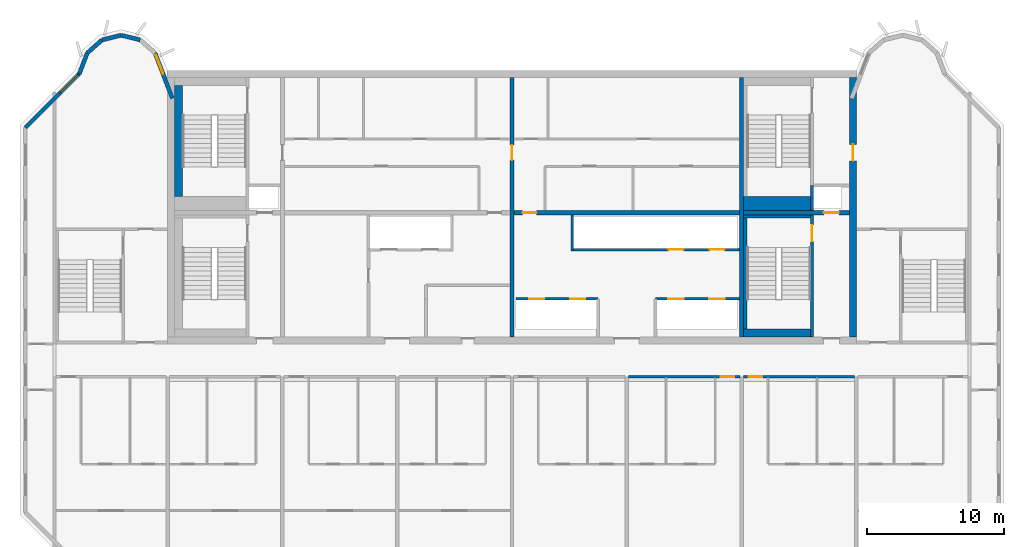
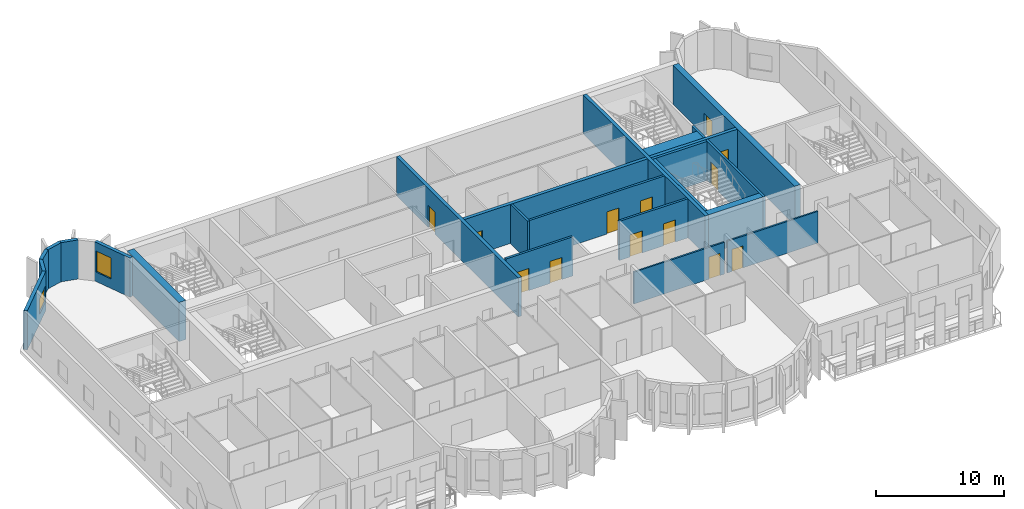
# One storey, part 6 of 12: 24 walls, 13 doors, 2 windows, 15 openings.
"""IFC4 building model written with IfcOpenShell, lengths in metres."""

from ifc_helpers import new_model, si_unit, direction, frame, frame_2d, origin, place, context, subcontext, project, spatial, rectangle, extrude, source, transform, mapped, material, layer, layer_set, type_object, element, fill, save


model = new_model("IFC4")

# Units and contexts
model_context = context("Model", 3, precision=1e-05, world=origin(), true_north=direction((0.0, 1.0)))
body_context = subcontext(model_context, "Body", "Model", "MODEL_VIEW")
ifc_project = project(units=[si_unit("LENGTHUNIT", "METRE"), si_unit("AREAUNIT", "SQUARE_METRE"), si_unit("VOLUMEUNIT", "CUBIC_METRE"), si_unit("PLANEANGLEUNIT", "RADIAN"), si_unit("MASSUNIT", "GRAM", prefix="KILO")], contexts=[model_context])

# Site, building, storey
site_placement = place(None, origin())
site = spatial("IfcSite", under=ifc_project, at=site_placement, CompositionType="ELEMENT")
building_placement = place(site_placement, origin())
building = spatial("IfcBuilding", under=site, at=building_placement, Name="Vanashikhar Sky Hotel", CompositionType="ELEMENT")
storey_placement = place(building_placement, frame((0.0, 0.0, 285.699951171875)))
storey = spatial("IfcBuildingStorey", under=building, at=storey_placement, Name="L68", CompositionType="ELEMENT", Elevation=285.699951171875)

# Wall, opening, door
ifc_material_1 = material(Name="Concrete M50", Category="concrete")
ifc_layer_1 = layer(ifc_material_1, 0.5)
ifc_layer_set_1 = layer_set([ifc_layer_1], Name="RC core shell wall 500 Concrete M50")
wall_type_1 = type_object("IfcWallType", Name="RC core shell wall 500 Concrete M50", PredefinedType="SHEAR", material=ifc_layer_set_1)
shared_shape_1 = source(origin(), body_context, "Body", "SweptSolid", [
    extrude(rectangle(XDim=19.0, YDim=0.5, at=frame_2d((9.5, 0.0))), origin(), (0.0, 0.0, 1.0), 3.719970703125),
])
wall_1_placement = place(storey_placement, frame((75.35009765625, 22.5, 0.0), z_axis=(0.0, 0.0, 1.0), x_axis=(0.0, 1.0, 0.0)))
wall_1 = element("IfcWall", 1, at=wall_1_placement, inside=storey, type_object=wall_type_1, Name="KW-L68-KE", PredefinedType="SHEAR", context=body_context, shape_type="MappedRepresentation", body=[
    mapped(shared_shape_1, transform((0.0, 0.0, 0.0), scale=1.0)),
])
shared_shape_2 = source(origin(), body_context, "Body", "SweptSolid", [
    extrude(rectangle(XDim=1.199951171875, YDim=2.10009765625, at=frame_2d((0.60009765625, 1.050048828125))), frame((0.0, 0.260009765625, 0.0), z_axis=(0.0, -1.0, 0.0), x_axis=(1.0, 0.0, 0.0)), (0.0, 0.0, 1.0), 0.52001953125),
])
opening_1_placement = place(wall_1_placement, frame((12.89990234375, 0.0, 0.0)))
opening_1 = element("IfcOpeningElement", 2, at=opening_1_placement, cuts=wall_1, Name="Opening DC-4-D", PredefinedType="OPENING", context=body_context, shape_type="MappedRepresentation", body=[
    mapped(shared_shape_2, transform((0.0, 0.0, 0.0), scale=1.0)),
])
ifc_material_2 = material(Name="Steel", Category="steel")
door_type_1 = type_object("IfcDoorType", Name="Service door 1200 FD120", OperationType="NOTDEFINED", PredefinedType="DOOR", material=ifc_material_2)
shared_shape_3 = source(origin(), body_context, "Body", "SweptSolid", [
    extrude(rectangle(XDim=1.199951171875, YDim=2.10009765625, at=frame_2d((0.60009765625, 1.050048828125))), frame((0.0, 0.02490234375, 0.0), z_axis=(0.0, -1.0, 0.0), x_axis=(1.0, 0.0, 0.0)), (0.0, 0.0, 1.0), 0.050048828125),
])
door_1_placement = place(opening_1_placement, origin())
door_1 = element("IfcDoor", 3, at=door_1_placement, inside=storey, type_object=door_type_1, Name="Service door 1200 FD120", OperationType="SINGLE_SWING_RIGHT", OverallHeight=2.10009765625, OverallWidth=1.199951171875, PredefinedType="DOOR", context=body_context, shape_type="MappedRepresentation", body=[
    mapped(shared_shape_3, transform((0.0, 0.0, 0.0), scale=1.0)),
])
fill(opening_1, door_1)

ifc_layer_2 = layer(ifc_material_1, 0.300048828125)
ifc_layer_set_2 = layer_set([ifc_layer_2], Name="RC core inner wall 300 Concrete M50")
wall_type_2 = type_object("IfcWallType", Name="RC core inner wall 300 Concrete M50", PredefinedType="SHEAR", material=ifc_layer_set_2)
shared_shape_4 = source(origin(), body_context, "Body", "SweptSolid", [
    extrude(rectangle(XDim=19.0, YDim=0.300048828125, at=frame_2d((9.5, 0.0))), origin(), (0.0, 0.0, 1.0), 3.719970703125),
])
wall_2_placement = place(storey_placement, frame((50.39990234375, 22.5, 0.0), z_axis=(0.0, 0.0, 1.0), x_axis=(0.0, 1.0, 0.0)))
wall_2 = element("IfcWall", 4, at=wall_2_placement, inside=storey, type_object=wall_type_2, Name="KW-L68-KX2", PredefinedType="SHEAR", context=body_context, shape_type="MappedRepresentation", body=[
    mapped(shared_shape_4, transform((0.0, 0.0, 0.0), scale=1.0)),
])
shared_shape_5 = source(origin(), body_context, "Body", "SweptSolid", [
    extrude(rectangle(XDim=1.10009765625, YDim=2.10009765625, at=frame_2d((0.550048828125, 1.050048828125))), frame((0.0, 0.16015625, 0.0), z_axis=(0.0, -1.0, 0.0), x_axis=(1.0, 0.0, 0.0)), (0.0, 0.0, 1.0), 0.320068359375),
])
opening_2_placement = place(wall_2_placement, frame((12.949951171875, 0.0, 0.0)))
opening_2 = element("IfcOpeningElement", 5, at=opening_2_placement, cuts=wall_2, Name="Opening DC-4-C", PredefinedType="OPENING", context=body_context, shape_type="MappedRepresentation", body=[
    mapped(shared_shape_5, transform((0.0, 0.0, 0.0), scale=1.0)),
])
door_type_2 = type_object("IfcDoorType", Name="Service door 1100 FD60", OperationType="NOTDEFINED", PredefinedType="DOOR", material=ifc_material_2)
shared_shape_6 = source(origin(), body_context, "Body", "SweptSolid", [
    extrude(rectangle(XDim=1.10009765625, YDim=2.10009765625, at=frame_2d((0.550048828125, 1.050048828125))), frame((0.0, 0.02490234375, 0.0), z_axis=(0.0, -1.0, 0.0), x_axis=(1.0, 0.0, 0.0)), (0.0, 0.0, 1.0), 0.050048828125),
])
door_2_placement = place(opening_2_placement, origin())
door_2 = element("IfcDoor", 6, at=door_2_placement, inside=storey, type_object=door_type_2, Name="Service door 1100 FD60", OperationType="SINGLE_SWING_RIGHT", OverallHeight=2.10009765625, OverallWidth=1.10009765625, PredefinedType="DOOR", context=body_context, shape_type="MappedRepresentation", body=[
    mapped(shared_shape_6, transform((0.0, 0.0, 0.0), scale=1.0)),
])
fill(opening_2, door_2)

# Wall
wall_3_placement = place(storey_placement, frame((67.199951171875, 22.5, 0.0), z_axis=(0.0, 0.0, 1.0), x_axis=(0.0, 1.0, 0.0)))
element("IfcWall", 7, at=wall_3_placement, inside=storey, type_object=wall_type_2, Name="KW-L68-KX3", PredefinedType="SHEAR", context=body_context, shape_type="MappedRepresentation", body=[
    mapped(shared_shape_4, transform((0.0, 0.0, 0.0), scale=1.0)),
])

# Wall, opening, door
shared_shape_7 = source(origin(), body_context, "Body", "SweptSolid", [
    extrude(rectangle(XDim=7.75, YDim=0.300048828125, at=frame_2d((3.875, 0.0))), origin(), (0.0, 0.0, 1.0), 3.719970703125),
])
wall_4_placement = place(storey_placement, frame((67.35009765625, 31.60009765625, 0.0), z_axis=(0.0, 0.0, 1.0), x_axis=(1.0, 0.0, 0.0)))
wall_4 = element("IfcWall", 8, at=wall_4_placement, inside=storey, type_object=wall_type_2, Name="KW-L68-KY4", PredefinedType="SHEAR", context=body_context, shape_type="MappedRepresentation", body=[
    mapped(shared_shape_7, transform((0.0, 0.0, 0.0), scale=1.0)),
])
opening_3_placement = place(wall_4_placement, frame((5.875, 0.0, 0.0)))
opening_3 = element("IfcOpeningElement", 9, at=opening_3_placement, cuts=wall_4, Name="Opening LD", PredefinedType="OPENING", context=body_context, shape_type="MappedRepresentation", body=[
    mapped(shared_shape_5, transform((0.0, 0.0, 0.0), scale=1.0)),
])
ifc_material_3 = material(Name="Stainless steel", Category="steel")
door_type_3 = type_object("IfcDoorType", Name="Lift landing door 1100", OperationType="NOTDEFINED", PredefinedType="DOOR", material=ifc_material_3)
door_3_placement = place(opening_3_placement, origin())
door_3 = element("IfcDoor", 10, at=door_3_placement, inside=storey, type_object=door_type_3, Name="Lift landing door 1100", OperationType="SLIDING_TO_RIGHT", OverallHeight=2.10009765625, OverallWidth=1.10009765625, PredefinedType="DOOR", context=body_context, shape_type="MappedRepresentation", body=[
    mapped(shared_shape_6, transform((0.0, 0.0, 0.0), scale=1.0)),
])
fill(opening_3, door_3)

shared_shape_8 = source(origin(), body_context, "Body", "SweptSolid", [
    extrude(rectangle(XDim=16.5, YDim=0.300048828125, at=frame_2d((8.25, 0.0))), origin(), (0.0, 0.0, 1.0), 3.719970703125),
])
wall_5_placement = place(storey_placement, frame((50.550048828125, 31.60009765625, 0.0), z_axis=(0.0, 0.0, 1.0), x_axis=(1.0, 0.0, 0.0)))
wall_5 = element("IfcWall", 11, at=wall_5_placement, inside=storey, type_object=wall_type_2, Name="KW-L68-KY3", PredefinedType="SHEAR", context=body_context, shape_type="MappedRepresentation", body=[
    mapped(shared_shape_8, transform((0.0, 0.0, 0.0), scale=1.0)),
])
shared_shape_9 = source(origin(), body_context, "Body", "SweptSolid", [
    extrude(rectangle(XDim=1.0, YDim=2.10009765625, at=frame_2d((0.5, 1.050048828125))), frame((0.0, 0.16015625, 0.0), z_axis=(0.0, -1.0, 0.0), x_axis=(1.0, 0.0, 0.0)), (0.0, 0.0, 1.0), 0.320068359375),
])
opening_4_placement = place(wall_5_placement, frame((0.625, 0.0, 0.0)))
opening_4 = element("IfcOpeningElement", 12, at=opening_4_placement, cuts=wall_5, Name="Opening DC-4", PredefinedType="OPENING", context=body_context, shape_type="MappedRepresentation", body=[
    mapped(shared_shape_9, transform((0.0, 0.0, 0.0), scale=1.0)),
])
door_type_4 = type_object("IfcDoorType", Name="Service door 1000 FD60", OperationType="NOTDEFINED", PredefinedType="DOOR", material=ifc_material_2)
shared_shape_10 = source(origin(), body_context, "Body", "SweptSolid", [
    extrude(rectangle(XDim=1.0, YDim=2.10009765625, at=frame_2d((0.5, 1.050048828125))), frame((0.0, 0.02490234375, 0.0), z_axis=(0.0, -1.0, 0.0), x_axis=(1.0, 0.0, 0.0)), (0.0, 0.0, 1.0), 0.050048828125),
])
door_4_placement = place(opening_4_placement, origin())
door_4 = element("IfcDoor", 13, at=door_4_placement, inside=storey, type_object=door_type_4, Name="Service door 1000 FD60", OperationType="SINGLE_SWING_RIGHT", OverallHeight=2.10009765625, OverallWidth=1.0, PredefinedType="DOOR", context=body_context, shape_type="MappedRepresentation", body=[
    mapped(shared_shape_10, transform((0.0, 0.0, 0.0), scale=1.0)),
])
fill(opening_4, door_4)

# Wall, opening, window
ifc_layer_3 = layer(ifc_material_1, 0.300048828125)
ifc_layer_set_3 = layer_set([ifc_layer_3], Name="Lobe wall 300")
wall_type_3 = type_object("IfcWallType", Name="Lobe wall 300", PredefinedType="SOLIDWALL", material=ifc_layer_set_3)
shared_shape_11 = source(origin(), body_context, "Body", "SweptSolid", [
    extrude(rectangle(XDim=5.576416015625, YDim=0.300048828125, at=frame_2d((2.7880859375, 0.0))), origin(), (0.0, 0.0, 1.0), 3.719970703125),
])
wall_6_placement = place(storey_placement, frame((18.7431640625, 41.77734375, 0.0), z_axis=(0.0, 0.0, 1.0), x_axis=(-0.707106781187, -0.707106781187, 0.0)))
wall_6 = element("IfcWall", 14, at=wall_6_placement, inside=storey, type_object=wall_type_3, Name="Corner wall", PredefinedType="SOLIDWALL", context=body_context, shape_type="MappedRepresentation", body=[
    mapped(shared_shape_11, transform((0.0, 0.0, 0.0), scale=1.0)),
])
shared_shape_12 = source(origin(), body_context, "Body", "SweptSolid", [
    extrude(rectangle(XDim=1.800048828125, YDim=1.5, at=frame_2d((0.89990234375, 0.75))), frame((0.0, 0.16015625, 0.0), z_axis=(0.0, -1.0, 0.0), x_axis=(1.0, 0.0, 0.0)), (0.0, 0.0, 1.0), 0.320068359375),
])
opening_5_placement = place(wall_6_placement, frame((0.135498046875, 0.0, 0.89990234375)))
opening_5 = element("IfcOpeningElement", 15, at=opening_5_placement, cuts=wall_6, Name="Opening WN-4", PredefinedType="OPENING", context=body_context, shape_type="MappedRepresentation", body=[
    mapped(shared_shape_12, transform((0.0, 0.0, 0.0), scale=1.0)),
])
ifc_material_4 = material(Name="Glass", Category="glass")
window_type_1 = type_object("IfcWindowType", Name="Corner window 1800 x 1500", PartitioningType="SINGLE_PANEL", PredefinedType="WINDOW", material=ifc_material_4)
shared_shape_13 = source(origin(), body_context, "Body", "SweptSolid", [
    extrude(rectangle(XDim=1.800048828125, YDim=1.5, at=frame_2d((0.89990234375, 0.75))), frame((0.0, 0.030029296875, 0.0), z_axis=(0.0, -1.0, 0.0), x_axis=(1.0, 0.0, 0.0)), (0.0, 0.0, 1.0), 0.06005859375),
])
window_1_placement = place(opening_5_placement, origin())
window_1 = element("IfcWindow", 16, at=window_1_placement, inside=storey, type_object=window_type_1, Name="Window WN-4", OverallHeight=1.5, OverallWidth=1.800048828125, PartitioningType="SINGLE_PANEL", PredefinedType="WINDOW", context=body_context, shape_type="MappedRepresentation", body=[
    mapped(shared_shape_13, transform((0.0, 0.0, 0.0), scale=1.0)),
])
fill(opening_5, window_1)

# Walls
shared_shape_14 = source(origin(), body_context, "Body", "SweptSolid", [
    extrude(rectangle(XDim=1.6220703125, YDim=0.300048828125, at=frame_2d((0.81103515625, 0.0))), origin(), (0.0, 0.0, 1.0), 3.719970703125),
])
wall_7_placement = place(storey_placement, frame((19.323486328125, 43.2919921875, 0.0), z_axis=(0.0, 0.0, 1.0), x_axis=(-0.357778527068, -0.933806471154, 0.0)))
element("IfcWall", 17, at=wall_7_placement, inside=storey, type_object=wall_type_3, Name="Lobe wall", PredefinedType="SOLIDWALL", context=body_context, shape_type="MappedRepresentation", body=[
    mapped(shared_shape_14, transform((0.0, 0.0, 0.0), scale=1.0)),
])
shared_shape_15 = source(origin(), body_context, "Body", "SweptSolid", [
    extrude(rectangle(XDim=1.43994140625, YDim=0.300048828125, at=frame_2d((0.719970703125, 0.0))), origin(), (0.0, 0.0, 1.0), 3.719970703125),
])
wall_8_placement = place(storey_placement, frame((20.40283203125, 44.2451171875, 0.0), z_axis=(0.0, 0.0, 1.0), x_axis=(-0.74957555648, -0.661918790432, 0.0)))
element("IfcWall", 18, at=wall_8_placement, inside=storey, type_object=wall_type_3, Name="Lobe wall", PredefinedType="SOLIDWALL", context=body_context, shape_type="MappedRepresentation", body=[
    mapped(shared_shape_15, transform((0.0, 0.0, 0.0), scale=1.0)),
])
shared_shape_16 = source(origin(), body_context, "Body", "SweptSolid", [
    extrude(rectangle(XDim=1.438720703125, YDim=0.300048828125, at=frame_2d((0.71923828125, 0.0))), origin(), (0.0, 0.0, 1.0), 3.719970703125),
])
wall_9_placement = place(storey_placement, frame((21.800048828125, 44.588134765625, 0.0), z_axis=(0.0, 0.0, 1.0), x_axis=(-0.971161932466, -0.238420848351, 0.0)))
element("IfcWall", 19, at=wall_9_placement, inside=storey, type_object=wall_type_3, Name="Lobe wall", PredefinedType="SOLIDWALL", context=body_context, shape_type="MappedRepresentation", body=[
    mapped(shared_shape_16, transform((0.0, 0.0, 0.0), scale=1.0)),
])

# Wall, opening, window
shared_shape_17 = source(origin(), body_context, "Body", "SweptSolid", [
    extrude(rectangle(XDim=3.55908203125, YDim=0.300048828125, at=frame_2d((1.779541015625, 0.0))), origin(), (0.0, 0.0, 1.0), 3.719970703125),
])
wall_10_placement = place(storey_placement, frame((25.550048828125, 39.968505859375, 0.0), z_axis=(0.0, 0.0, 1.0), x_axis=(-0.35779745313, 0.933799219604, 0.0)))
wall_10 = element("IfcWall", 20, at=wall_10_placement, inside=storey, type_object=wall_type_3, Name="Lobe wall", PredefinedType="SOLIDWALL", context=body_context, shape_type="MappedRepresentation", body=[
    mapped(shared_shape_17, transform((0.0, 0.0, 0.0), scale=1.0)),
])
shared_shape_18 = source(origin(), body_context, "Body", "SweptSolid", [
    extrude(rectangle(XDim=1.5, YDim=2.0, at=frame_2d((0.75, 1.0))), frame((0.0, 0.16015625, 0.0), z_axis=(0.0, -1.0, 0.0), x_axis=(1.0, 0.0, 0.0)), (0.0, 0.0, 1.0), 0.320068359375),
])
opening_6_placement = place(wall_10_placement, frame((1.9033203125, 0.0, 0.89990234375)))
opening_6 = element("IfcOpeningElement", 21, at=opening_6_placement, cuts=wall_10, Name="Opening WN-2", PredefinedType="OPENING", context=body_context, shape_type="MappedRepresentation", body=[
    mapped(shared_shape_18, transform((0.0, 0.0, 0.0), scale=1.0)),
])
window_type_2 = type_object("IfcWindowType", Name="Lobe window 1500 x 2000", PartitioningType="SINGLE_PANEL", PredefinedType="WINDOW", material=ifc_material_4)
shared_shape_19 = source(origin(), body_context, "Body", "SweptSolid", [
    extrude(rectangle(XDim=1.5, YDim=2.0, at=frame_2d((0.75, 1.0))), frame((0.0, 0.030029296875, 0.0), z_axis=(0.0, -1.0, 0.0), x_axis=(1.0, 0.0, 0.0)), (0.0, 0.0, 1.0), 0.06005859375),
])
window_2_placement = place(opening_6_placement, origin())
window_2 = element("IfcWindow", 22, at=window_2_placement, inside=storey, type_object=window_type_2, Name="Window WN-2", OverallHeight=2.0, OverallWidth=1.5, PartitioningType="SINGLE_PANEL", PredefinedType="WINDOW", context=body_context, shape_type="MappedRepresentation", body=[
    mapped(shared_shape_19, transform((0.0, 0.0, 0.0), scale=1.0)),
])
fill(opening_6, window_2)

# Wall
shared_shape_20 = source(origin(), body_context, "Body", "SweptSolid", [
    extrude(rectangle(XDim=1.4384765625, YDim=0.300048828125, at=frame_2d((0.71923828125, 0.0))), origin(), (0.0, 0.0, 1.0), 3.719970703125),
])
wall_11_placement = place(storey_placement, frame((23.197021484375, 44.2451171875, 0.0), z_axis=(0.0, 0.0, 1.0), x_axis=(-0.971152283879, 0.238460146601, 0.0)))
element("IfcWall", 23, at=wall_11_placement, inside=storey, type_object=wall_type_3, Name="Lobe wall", PredefinedType="SOLIDWALL", context=body_context, shape_type="MappedRepresentation", body=[
    mapped(shared_shape_20, transform((0.0, 0.0, 0.0), scale=1.0)),
])

# Wall, openings, doors
ifc_material_5 = material(Name="Concrete M40", Category="concrete")
ifc_layer_4 = layer(ifc_material_5, 0.199951171875)
ifc_layer_set_4 = layer_set([ifc_layer_4], Name="Shaft wall 200")
wall_type_4 = type_object("IfcWallType", Name="Shaft wall 200", PredefinedType="SOLIDWALL", material=ifc_layer_set_4)
shared_shape_21 = source(origin(), body_context, "Body", "SweptSolid", [
    extrude(rectangle(XDim=6.0, YDim=0.199951171875, at=frame_2d((3.0, 0.0))), origin(), (0.0, 0.0, 1.0), 3.719970703125),
])
wall_12_placement = place(storey_placement, frame((56.699951171875, 25.300048828125, 0.0), z_axis=(0.0, 0.0, 1.0), x_axis=(-1.0, 0.0, 0.0)))
wall_12 = element("IfcWall", 24, at=wall_12_placement, inside=storey, type_object=wall_type_4, Name="Shaft wall 200", PredefinedType="SOLIDWALL", context=body_context, shape_type="MappedRepresentation", body=[
    mapped(shared_shape_21, transform((0.0, 0.0, 0.0), scale=1.0)),
])
shared_shape_22 = source(origin(), body_context, "Body", "SweptSolid", [
    extrude(rectangle(XDim=1.10009765625, YDim=2.10009765625, at=frame_2d((0.550048828125, 1.050048828125))), frame((0.0, 0.10986328125, 0.0), z_axis=(0.0, -1.0, 0.0), x_axis=(1.0, 0.0, 0.0)), (0.0, 0.0, 1.0), 0.219970703125),
])
opening_7_placement = place(wall_12_placement, frame((0.949951171875, 0.0, 0.0)))
opening_7 = element("IfcOpeningElement", 25, at=opening_7_placement, cuts=wall_12, Name="Opening LD", PredefinedType="OPENING", context=body_context, shape_type="MappedRepresentation", body=[
    mapped(shared_shape_22, transform((0.0, 0.0, 0.0), scale=1.0)),
])
opening_8_placement = place(wall_12_placement, frame((3.949951171875, 0.0, 0.0)))
opening_8 = element("IfcOpeningElement", 26, at=opening_8_placement, cuts=wall_12, Name="Opening LD", PredefinedType="OPENING", context=body_context, shape_type="MappedRepresentation", body=[
    mapped(shared_shape_22, transform((0.0, 0.0, 0.0), scale=1.0)),
])
door_5_placement = place(opening_7_placement, origin())
door_5 = element("IfcDoor", 27, at=door_5_placement, inside=storey, type_object=door_type_3, Name="Lift landing door 1100", OperationType="SLIDING_TO_RIGHT", OverallHeight=2.10009765625, OverallWidth=1.10009765625, PredefinedType="DOOR", context=body_context, shape_type="MappedRepresentation", body=[
    mapped(shared_shape_6, transform((0.0, 0.0, 0.0), scale=1.0)),
])
fill(opening_7, door_5)
door_6_placement = place(opening_8_placement, origin())
door_6 = element("IfcDoor", 28, at=door_6_placement, inside=storey, type_object=door_type_3, Name="Lift landing door 1100", OperationType="SLIDING_TO_LEFT", OverallHeight=2.10009765625, OverallWidth=1.10009765625, PredefinedType="DOOR", context=body_context, shape_type="MappedRepresentation", body=[
    mapped(shared_shape_6, transform((0.0, 0.0, 0.0), scale=1.0)),
])
fill(opening_8, door_6)

# Wall
shared_shape_23 = source(origin(), body_context, "Body", "SweptSolid", [
    extrude(rectangle(XDim=2.64990234375, YDim=0.199951171875, at=frame_2d((1.324951171875, 0.0))), origin(), (0.0, 0.0, 1.0), 3.719970703125),
])
wall_13_placement = place(storey_placement, frame((54.800048828125, 28.800048828125, 0.0), z_axis=(0.0, 0.0, 1.0), x_axis=(0.0, 1.0, 0.0)))
element("IfcWall", 29, at=wall_13_placement, inside=storey, type_object=wall_type_4, Name="Shaft wall 200", PredefinedType="SOLIDWALL", context=body_context, shape_type="MappedRepresentation", body=[
    mapped(shared_shape_23, transform((0.0, 0.0, 0.0), scale=1.0)),
])

# Wall, openings, doors
shared_shape_24 = source(origin(), body_context, "Body", "SweptSolid", [
    extrude(rectangle(XDim=6.150146484375, YDim=0.199951171875, at=frame_2d((3.0751953125, 0.0))), origin(), (0.0, 0.0, 1.0), 3.719970703125),
])
wall_14_placement = place(storey_placement, frame((67.050048828125, 25.300048828125, 0.0), z_axis=(0.0, 0.0, 1.0), x_axis=(-1.0, 0.0, 0.0)))
wall_14 = element("IfcWall", 30, at=wall_14_placement, inside=storey, type_object=wall_type_4, Name="Shaft wall 200", PredefinedType="SOLIDWALL", context=body_context, shape_type="MappedRepresentation", body=[
    mapped(shared_shape_24, transform((0.0, 0.0, 0.0), scale=1.0)),
])
opening_9_placement = place(wall_14_placement, frame((1.10009765625, 0.0, 0.0)))
opening_9 = element("IfcOpeningElement", 31, at=opening_9_placement, cuts=wall_14, Name="Opening LD", PredefinedType="OPENING", context=body_context, shape_type="MappedRepresentation", body=[
    mapped(shared_shape_22, transform((0.0, 0.0, 0.0), scale=1.0)),
])
opening_10_placement = place(wall_14_placement, frame((4.10009765625, 0.0, 0.0)))
opening_10 = element("IfcOpeningElement", 32, at=opening_10_placement, cuts=wall_14, Name="Opening LD", PredefinedType="OPENING", context=body_context, shape_type="MappedRepresentation", body=[
    mapped(shared_shape_22, transform((0.0, 0.0, 0.0), scale=1.0)),
])
door_7_placement = place(opening_9_placement, origin())
door_7 = element("IfcDoor", 33, at=door_7_placement, inside=storey, type_object=door_type_3, Name="Lift landing door 1100", OperationType="SLIDING_TO_RIGHT", OverallHeight=2.10009765625, OverallWidth=1.10009765625, PredefinedType="DOOR", context=body_context, shape_type="MappedRepresentation", body=[
    mapped(shared_shape_6, transform((0.0, 0.0, 0.0), scale=1.0)),
])
fill(opening_9, door_7)
door_8_placement = place(opening_10_placement, origin())
door_8 = element("IfcDoor", 34, at=door_8_placement, inside=storey, type_object=door_type_3, Name="Lift landing door 1100", OperationType="SLIDING_TO_LEFT", OverallHeight=2.10009765625, OverallWidth=1.10009765625, PredefinedType="DOOR", context=body_context, shape_type="MappedRepresentation", body=[
    mapped(shared_shape_6, transform((0.0, 0.0, 0.0), scale=1.0)),
])
fill(opening_10, door_8)

shared_shape_25 = source(origin(), body_context, "Body", "SweptSolid", [
    extrude(rectangle(XDim=12.150146484375, YDim=0.199951171875, at=frame_2d((6.0751953125, 0.0))), origin(), (0.0, 0.0, 1.0), 3.719970703125),
])
wall_15_placement = place(storey_placement, frame((67.050048828125, 28.89990234375, 0.0), z_axis=(0.0, 0.0, 1.0), x_axis=(-1.0, 0.0, 0.0)))
wall_15 = element("IfcWall", 35, at=wall_15_placement, inside=storey, type_object=wall_type_4, Name="Shaft wall 200", PredefinedType="SOLIDWALL", context=body_context, shape_type="MappedRepresentation", body=[
    mapped(shared_shape_25, transform((0.0, 0.0, 0.0), scale=1.0)),
])
opening_11_placement = place(wall_15_placement, frame((1.10009765625, 0.0, 0.0)))
opening_11 = element("IfcOpeningElement", 36, at=opening_11_placement, cuts=wall_15, Name="Opening LD", PredefinedType="OPENING", context=body_context, shape_type="MappedRepresentation", body=[
    mapped(shared_shape_22, transform((0.0, 0.0, 0.0), scale=1.0)),
])
opening_12_placement = place(wall_15_placement, frame((4.10009765625, 0.0, 0.0)))
opening_12 = element("IfcOpeningElement", 37, at=opening_12_placement, cuts=wall_15, Name="Opening LD", PredefinedType="OPENING", context=body_context, shape_type="MappedRepresentation", body=[
    mapped(shared_shape_22, transform((0.0, 0.0, 0.0), scale=1.0)),
])
door_9_placement = place(opening_11_placement, origin())
door_9 = element("IfcDoor", 38, at=door_9_placement, inside=storey, type_object=door_type_3, Name="Lift landing door 1100", OperationType="SLIDING_TO_RIGHT", OverallHeight=2.10009765625, OverallWidth=1.10009765625, PredefinedType="DOOR", context=body_context, shape_type="MappedRepresentation", body=[
    mapped(shared_shape_6, transform((0.0, 0.0, 0.0), scale=1.0)),
])
fill(opening_11, door_9)
door_10_placement = place(opening_12_placement, origin())
door_10 = element("IfcDoor", 39, at=door_10_placement, inside=storey, type_object=door_type_3, Name="Lift landing door 1100", OperationType="SLIDING_TO_LEFT", OverallHeight=2.10009765625, OverallWidth=1.10009765625, PredefinedType="DOOR", context=body_context, shape_type="MappedRepresentation", body=[
    mapped(shared_shape_6, transform((0.0, 0.0, 0.0), scale=1.0)),
])
fill(opening_12, door_10)

# Wall, opening, door
ifc_layer_5 = layer(ifc_material_1, 0.199951171875)
ifc_layer_set_5 = layer_set([ifc_layer_5], Name="Stair wall 200")
wall_type_5 = type_object("IfcWallType", Name="Stair wall 200", PredefinedType="SOLIDWALL", material=ifc_layer_set_5)
shared_shape_26 = source(origin(), body_context, "Body", "SweptSolid", [
    extrude(rectangle(XDim=8.949951171875, YDim=0.199951171875, at=frame_2d((4.47509765625, 0.0))), origin(), (0.0, 0.0, 1.0), 3.719970703125),
])
wall_16_placement = place(storey_placement, frame((72.35009765625, 22.5, 0.0), z_axis=(0.0, 0.0, 1.0), x_axis=(0.0, 1.0, 0.0)))
wall_16 = element("IfcWall", 40, at=wall_16_placement, inside=storey, type_object=wall_type_5, Name="Stair wall 200", PredefinedType="SOLIDWALL", context=body_context, shape_type="MappedRepresentation", body=[
    mapped(shared_shape_26, transform((0.0, 0.0, 0.0), scale=1.0)),
])
shared_shape_27 = source(origin(), body_context, "Body", "SweptSolid", [
    extrude(rectangle(XDim=1.199951171875, YDim=2.10009765625, at=frame_2d((0.60009765625, 1.050048828125))), frame((0.0, 0.10986328125, 0.0), z_axis=(0.0, -1.0, 0.0), x_axis=(1.0, 0.0, 0.0)), (0.0, 0.0, 1.0), 0.219970703125),
])
opening_13_placement = place(wall_16_placement, frame((7.0, 0.0, 0.0)))
opening_13 = element("IfcOpeningElement", 41, at=opening_13_placement, cuts=wall_16, Name="Opening DC-1", PredefinedType="OPENING", context=body_context, shape_type="MappedRepresentation", body=[
    mapped(shared_shape_27, transform((0.0, 0.0, 0.0), scale=1.0)),
])
door_type_5 = type_object("IfcDoorType", Name="Stair door 1200 FD120", OperationType="NOTDEFINED", PredefinedType="DOOR", material=ifc_material_2)
door_11_placement = place(opening_13_placement, origin())
door_11 = element("IfcDoor", 42, at=door_11_placement, inside=storey, type_object=door_type_5, Name="Stair door 1200 FD120", OperationType="SINGLE_SWING_LEFT", OverallHeight=2.10009765625, OverallWidth=1.199951171875, PredefinedType="DOOR", context=body_context, shape_type="MappedRepresentation", body=[
    mapped(shared_shape_3, transform((0.0, 0.0, 0.0), scale=1.0)),
])
fill(opening_13, door_11)

# Walls
shared_shape_28 = source(origin(), body_context, "Body", "SweptSolid", [
    extrude(rectangle(XDim=1.85009765625, YDim=0.199951171875, at=frame_2d((0.925048828125, 0.0))), origin(), (0.0, 0.0, 1.0), 3.719970703125),
])
wall_17_placement = place(storey_placement, frame((72.35009765625, 31.75, 0.0), z_axis=(0.0, 0.0, 1.0), x_axis=(0.0, 1.0, 0.0)))
element("IfcWall", 43, at=wall_17_placement, inside=storey, type_object=wall_type_4, Name="Shaft wall 200", PredefinedType="SOLIDWALL", context=body_context, shape_type="MappedRepresentation", body=[
    mapped(shared_shape_28, transform((0.0, 0.0, 0.0), scale=1.0)),
])
ifc_layer_6 = layer(ifc_material_1, 0.60009765625)
ifc_layer_set_6 = layer_set([ifc_layer_6], Name="Stair infill wall 600")
wall_type_6 = type_object("IfcWallType", Name="Stair infill wall 600", PredefinedType="SOLIDWALL", material=ifc_layer_set_6)
shared_shape_29 = source(origin(), body_context, "Body", "SweptSolid", [
    extrude(rectangle(XDim=8.099853515625, YDim=0.60009765625, at=frame_2d((4.0498046875, 0.0))), origin(), (0.0, 0.0, 1.0), 3.719970703125),
])
wall_18_placement = place(storey_placement, frame((26.0, 32.800048828125, 0.0), z_axis=(0.0, 0.0, 1.0), x_axis=(0.0, 1.0, 0.0)))
element("IfcWall", 44, at=wall_18_placement, inside=storey, type_object=wall_type_6, Name="Stair infill wall 600", PredefinedType="SOLIDWALL", context=body_context, shape_type="MappedRepresentation", body=[
    mapped(shared_shape_29, transform((0.0, 0.0, 0.0), scale=1.0)),
])
shared_shape_30 = source(origin(), body_context, "Body", "SweptSolid", [
    extrude(rectangle(XDim=4.89990234375, YDim=0.60009765625, at=frame_2d((2.449951171875, 0.0))), origin(), (0.0, 0.0, 1.0), 3.719970703125),
])
wall_19_placement = place(storey_placement, frame((67.35009765625, 22.800048828125, 0.0), z_axis=(0.0, 0.0, 1.0), x_axis=(1.0, 0.0, 0.0)))
element("IfcWall", 45, at=wall_19_placement, inside=storey, type_object=wall_type_6, Name="Stair infill wall 600", PredefinedType="SOLIDWALL", context=body_context, shape_type="MappedRepresentation", body=[
    mapped(shared_shape_30, transform((0.0, 0.0, 0.0), scale=1.0)),
])
ifc_layer_7 = layer(ifc_material_1, 0.25)
ifc_layer_set_7 = layer_set([ifc_layer_7], Name="Stair infill wall 250")
wall_type_7 = type_object("IfcWallType", Name="Stair infill wall 250", PredefinedType="SOLIDWALL", material=ifc_layer_set_7)
shared_shape_31 = source(origin(), body_context, "Body", "SweptSolid", [
    extrude(rectangle(XDim=4.89990234375, YDim=0.25, at=frame_2d((2.449951171875, 0.0))), origin(), (0.0, 0.0, 1.0), 3.719970703125),
])
wall_20_placement = place(storey_placement, frame((67.35009765625, 31.324951171875, 0.0), z_axis=(0.0, 0.0, 1.0), x_axis=(1.0, 0.0, 0.0)))
element("IfcWall", 46, at=wall_20_placement, inside=storey, type_object=wall_type_7, Name="Stair infill wall 250", PredefinedType="SOLIDWALL", context=body_context, shape_type="MappedRepresentation", body=[
    mapped(shared_shape_31, transform((0.0, 0.0, 0.0), scale=1.0)),
])
shared_shape_32 = source(origin(), body_context, "Body", "SweptSolid", [
    extrude(rectangle(XDim=8.099853515625, YDim=0.25, at=frame_2d((4.0498046875, 0.0))), origin(), (0.0, 0.0, 1.0), 3.719970703125),
])
wall_21_placement = place(storey_placement, frame((67.47509765625, 23.10009765625, 0.0), z_axis=(0.0, 0.0, 1.0), x_axis=(0.0, 1.0, 0.0)))
element("IfcWall", 47, at=wall_21_placement, inside=storey, type_object=wall_type_7, Name="Stair infill wall 250", PredefinedType="SOLIDWALL", context=body_context, shape_type="MappedRepresentation", body=[
    mapped(shared_shape_32, transform((0.0, 0.0, 0.0), scale=1.0)),
])
ifc_layer_8 = layer(ifc_material_1, 1.050048828125)
ifc_layer_set_8 = layer_set([ifc_layer_8], Name="Stair infill wall 1050")
wall_type_8 = type_object("IfcWallType", Name="Stair infill wall 1050", PredefinedType="SOLIDWALL", material=ifc_layer_set_8)
shared_shape_33 = source(origin(), body_context, "Body", "SweptSolid", [
    extrude(rectangle(XDim=4.89990234375, YDim=1.050048828125, at=frame_2d((2.449951171875, 0.0))), origin(), (0.0, 0.0, 1.0), 3.719970703125),
])
wall_22_placement = place(storey_placement, frame((67.35009765625, 32.27490234375, 0.0), z_axis=(0.0, 0.0, 1.0), x_axis=(1.0, 0.0, 0.0)))
element("IfcWall", 48, at=wall_22_placement, inside=storey, type_object=wall_type_8, Name="Stair infill wall 1050", PredefinedType="SOLIDWALL", context=body_context, shape_type="MappedRepresentation", body=[
    mapped(shared_shape_33, transform((0.0, 0.0, 0.0), scale=1.0)),
])

# Wall, opening, door
ifc_material_6 = material(Name="Gypsum plasterboard partition")
ifc_layer_9 = layer(ifc_material_6, 0.14990234375)
ifc_layer_set_9 = layer_set([ifc_layer_9], Name="Corridor and demising partition 150")
wall_type_9 = type_object("IfcWallType", Name="Corridor and demising partition 150", PredefinedType="PARTITIONING", material=ifc_layer_set_9)
shared_shape_34 = source(origin(), body_context, "Body", "SweptSolid", [
    extrude(rectangle(XDim=8.150146484375, YDim=0.14990234375, at=frame_2d((4.0751953125, 0.0))), origin(), (0.0, 0.0, 1.0), 3.02001953125),
])
wall_23_placement = place(storey_placement, frame((67.324951171875, 19.60009765625, 0.0), z_axis=(0.0, 0.0, 1.0), x_axis=(1.0, 0.0, 0.0)))
wall_23 = element("IfcWall", 49, at=wall_23_placement, inside=storey, type_object=wall_type_9, Name="W-L68-PW039", PredefinedType="PARTITIONING", context=body_context, shape_type="MappedRepresentation", body=[
    mapped(shared_shape_34, transform((0.0, 0.0, 0.0), scale=1.0)),
])
shared_shape_35 = source(origin(), body_context, "Body", "SweptSolid", [
    extrude(rectangle(XDim=1.0, YDim=2.10009765625, at=frame_2d((0.5, 1.050048828125))), frame((0.0, 0.0849609375, 0.0), z_axis=(0.0, -1.0, 0.0), x_axis=(1.0, 0.0, 0.0)), (0.0, 0.0, 1.0), 0.169921875),
])
opening_14_placement = place(wall_23_placement, frame((0.39990234375, 0.0, 0.0)))
opening_14 = element("IfcOpeningElement", 50, at=opening_14_placement, cuts=wall_23, Name="Opening D-01", PredefinedType="OPENING", context=body_context, shape_type="MappedRepresentation", body=[
    mapped(shared_shape_35, transform((0.0, 0.0, 0.0), scale=1.0)),
])
ifc_material_7 = material(Name="Timber fire door", Category="wood")
door_type_6 = type_object("IfcDoorType", Name="Guest entry door 1000 FD30S", OperationType="NOTDEFINED", PredefinedType="DOOR", material=ifc_material_7)
door_12_placement = place(opening_14_placement, origin())
door_12 = element("IfcDoor", 51, at=door_12_placement, inside=storey, type_object=door_type_6, Name="D-L68-025", OperationType="SINGLE_SWING_LEFT", OverallHeight=2.10009765625, OverallWidth=1.0, PredefinedType="DOOR", context=body_context, shape_type="MappedRepresentation", body=[
    mapped(shared_shape_10, transform((0.0, 0.0, 0.0), scale=1.0)),
])
fill(opening_14, door_12)

shared_shape_36 = source(origin(), body_context, "Body", "SweptSolid", [
    extrude(rectangle(XDim=8.14990234375, YDim=0.14990234375, at=frame_2d((4.074951171875, 0.0))), origin(), (0.0, 0.0, 1.0), 3.02001953125),
])
wall_24_placement = place(storey_placement, frame((58.925048828125, 19.60009765625, 0.0), z_axis=(0.0, 0.0, 1.0), x_axis=(1.0, 0.0, 0.0)))
wall_24 = element("IfcWall", 52, at=wall_24_placement, inside=storey, type_object=wall_type_9, Name="W-L68-PW034", PredefinedType="PARTITIONING", context=body_context, shape_type="MappedRepresentation", body=[
    mapped(shared_shape_36, transform((0.0, 0.0, 0.0), scale=1.0)),
])
opening_15_placement = place(wall_24_placement, frame((6.75, 0.0, 0.0)))
opening_15 = element("IfcOpeningElement", 53, at=opening_15_placement, cuts=wall_24, Name="Opening D-01", PredefinedType="OPENING", context=body_context, shape_type="MappedRepresentation", body=[
    mapped(shared_shape_35, transform((0.0, 0.0, 0.0), scale=1.0)),
])
door_13_placement = place(opening_15_placement, origin())
door_13 = element("IfcDoor", 54, at=door_13_placement, inside=storey, type_object=door_type_6, Name="D-L68-022", OperationType="SINGLE_SWING_RIGHT", OverallHeight=2.10009765625, OverallWidth=1.0, PredefinedType="DOOR", context=body_context, shape_type="MappedRepresentation", body=[
    mapped(shared_shape_10, transform((0.0, 0.0, 0.0), scale=1.0)),
])
fill(opening_15, door_13)

save(model, "model.ifc")
